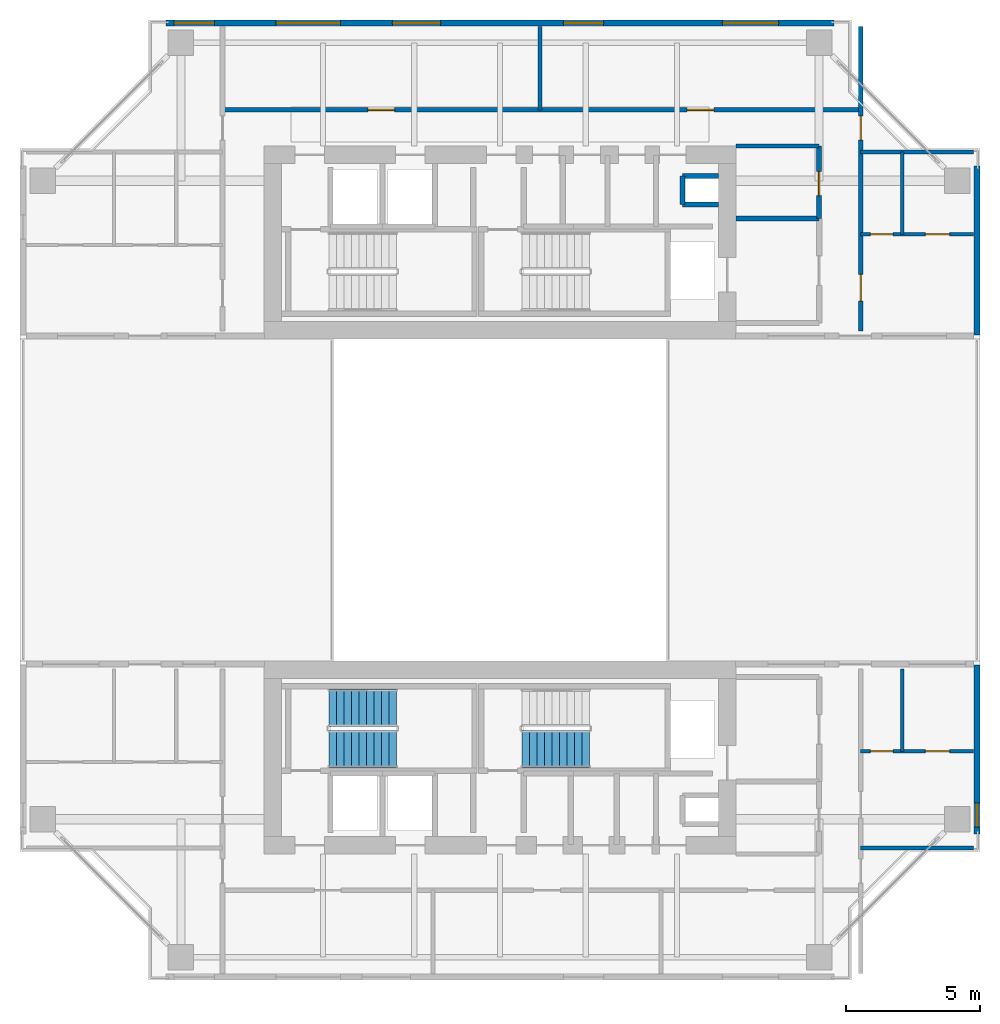
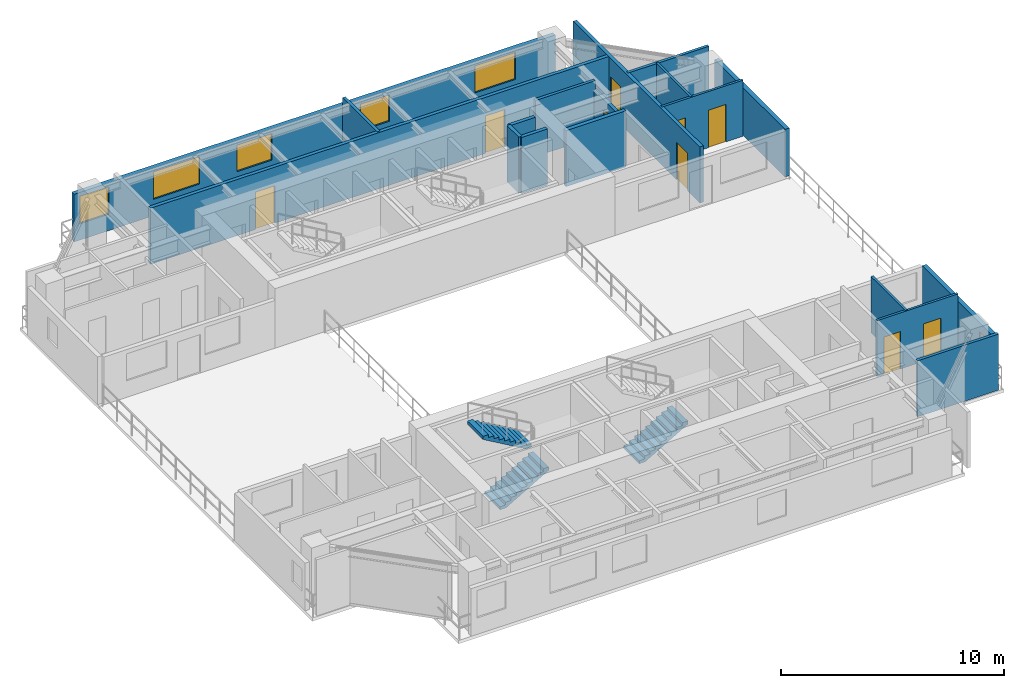
# One storey, part 10 of 14: 18 walls, 9 doors, 6 windows, 3 stair flights, 15 openings, 2 elements without a shape of their own.
"""IFC4 building model written with IfcOpenShell, lengths in metres."""

from ifc_helpers import new_model, si_unit, direction, frame, frame_2d, origin, place, context, subcontext, project, spatial, polyline, rectangle, outline, extrude, source, transform, mapped, material, layer, layer_set, type_object, element, fill, aggregate, save


model = new_model("IFC4")

# Units and contexts
model_context = context("Model", 3, precision=1e-05, world=origin(), true_north=direction((0.0, 1.0)))
body_context = subcontext(model_context, "Body", "Model", "MODEL_VIEW")
ifc_project = project(units=[si_unit("LENGTHUNIT", "METRE"), si_unit("AREAUNIT", "SQUARE_METRE"), si_unit("VOLUMEUNIT", "CUBIC_METRE"), si_unit("PLANEANGLEUNIT", "RADIAN"), si_unit("MASSUNIT", "GRAM", prefix="KILO"), si_unit("THERMODYNAMICTEMPERATUREUNIT", "KELVIN"), si_unit("POWERUNIT", "WATT")], contexts=[model_context])

# Site, building, storey
site_placement = place(None, origin())
site = spatial("IfcSite", under=ifc_project, at=site_placement, CompositionType="ELEMENT")
building_placement = place(site_placement, origin())
building = spatial("IfcBuilding", under=site, at=building_placement, Name="Qiaomeng Ring Towers", CompositionType="ELEMENT")
storey_placement = place(building_placement, frame((0.0, 0.0, 153.5)))
storey = spatial("IfcBuildingStorey", under=building, at=storey_placement, Name="L44", CompositionType="ELEMENT", Elevation=153.5)

# Wall
ifc_material_1 = material(Name="Precast concrete C40", Category="concrete")
ifc_layer_1 = layer(ifc_material_1, 0.219970703125, Name="Precast concrete C40")
ifc_layer_set_1 = layer_set([ifc_layer_1], Name="Precast concrete C40")
wall_type_1 = type_object("IfcWallType", Name="ARC-WL-EW2", PredefinedType="STANDARD", material=ifc_layer_set_1)
wall_1_placement = place(storey_placement, frame((36.7900390625, 29.14990234375, 0.0), z_axis=(0.0, 0.0, 1.0), x_axis=(0.0, 1.0, 0.0)))
element("IfcWall", 1, at=wall_1_placement, inside=storey, type_object=wall_type_1, Name="L44 Portal Wing Side Wall NWING-EL", PredefinedType="STANDARD", context=body_context, shape_type="SweptSolid", body=[
    extrude(rectangle(XDim=6.300048828125, YDim=0.219970703125, at=frame_2d((3.14990234375, 0.0))), origin(), (0.0, 0.0, 1.0), 2.610107421875),
])

# Wall, opening, window
wall_2_placement = place(storey_placement, frame((36.7900390625, 10.550048828125, 0.0), z_axis=(0.0, 0.0, 1.0), x_axis=(0.0, 1.0, 0.0)))
wall_2 = element("IfcWall", 2, at=wall_2_placement, inside=storey, type_object=wall_type_1, Name="L44 Portal Wing Side Wall SWING-EL", PredefinedType="STANDARD", context=body_context, shape_type="SweptSolid", body=[
    extrude(rectangle(XDim=6.300048828125, YDim=0.219970703125, at=frame_2d((3.14990234375, 0.0))), origin(), (0.0, 0.0, 1.0), 2.610107421875),
])
opening_1_placement = place(wall_2_placement, frame((0.25, 0.0, 0.89990234375)))
opening_1 = element("IfcOpeningElement", 3, at=opening_1_placement, cuts=wall_2, Name="Opening WN5", PredefinedType="OPENING", context=body_context, shape_type="SweptSolid", body=[
    extrude(rectangle(XDim=0.89990234375, YDim=1.199951171875, at=frame_2d((0.449951171875, 0.60009765625))), frame((0.0, 0.119873046875, 0.0), z_axis=(0.0, -1.0, 0.0), x_axis=(1.0, 0.0, 0.0)), (0.0, 0.0, 1.0), 0.239990234375),
])
ifc_material_2 = material(Name="Low-E dark-grey laminated double glazing", Category="glass")
window_type_1 = type_object("IfcWindowType", Name="ARC-WN-5", PartitioningType="SINGLE_PANEL", PredefinedType="WINDOW", material=ifc_material_2)
shared_shape_1 = source(origin(), body_context, "Body", "SweptSolid", [
    extrude(rectangle(XDim=0.89990234375, YDim=1.199951171875, at=frame_2d((0.449951171875, 0.60009765625))), frame((0.0, 0.030029296875, 0.0), z_axis=(0.0, -1.0, 0.0), x_axis=(1.0, 0.0, 0.0)), (0.0, 0.0, 1.0), 0.06005859375),
])
window_1_placement = place(opening_1_placement, origin())
window_1 = element("IfcWindow", 4, at=window_1_placement, inside=storey, type_object=window_type_1, Name="L44 Exterior Window WN5", OverallHeight=1.199951171875, OverallWidth=0.89990234375, PartitioningType="SINGLE_PANEL", PredefinedType="WINDOW", context=body_context, shape_type="MappedRepresentation", body=[
    mapped(shared_shape_1, transform((0.0, 0.0, 0.0), x_axis=(1.0, 0.0, 0.0), y_axis=(0.0, 1.0, 0.0), z_axis=(0.0, 0.0, 1.0), scale=1.0)),
])
fill(opening_1, window_1)

# Wall, openings, windows
wall_3_placement = place(storey_placement, frame((6.550048828125, 40.7900390625, 0.0), z_axis=(0.0, 0.0, 1.0), x_axis=(1.0, 0.0, 0.0)))
wall_3 = element("IfcWall", 5, at=wall_3_placement, inside=storey, type_object=wall_type_1, Name="L44 Tower 1 N Exterior Wall", PredefinedType="STANDARD", context=body_context, shape_type="SweptSolid", body=[
    extrude(rectangle(XDim=24.89990234375, YDim=0.219970703125, at=frame_2d((12.449951171875, 0.0))), origin(), (0.0, 0.0, 1.0), 2.610107421875),
])
opening_2_placement = place(wall_3_placement, frame((0.300048828125, 0.0, 0.89990234375)))
opening_2 = element("IfcOpeningElement", 6, at=opening_2_placement, cuts=wall_3, Name="Opening WN2", PredefinedType="OPENING", context=body_context, shape_type="SweptSolid", body=[
    extrude(rectangle(XDim=1.5, YDim=1.5, at=frame_2d((0.75, 0.75))), frame((0.0, 0.119873046875, 0.0), z_axis=(0.0, -1.0, 0.0), x_axis=(1.0, 0.0, 0.0)), (0.0, 0.0, 1.0), 0.239990234375),
])
opening_3_placement = place(wall_3_placement, frame((8.43798828125, 0.0, 0.89990234375)))
opening_3 = element("IfcOpeningElement", 7, at=opening_3_placement, cuts=wall_3, Name="Opening WN1", PredefinedType="OPENING", context=body_context, shape_type="SweptSolid", body=[
    extrude(rectangle(XDim=1.800048828125, YDim=1.449951171875, at=frame_2d((0.89990234375, 0.72509765625))), frame((0.0, 0.119873046875, 0.0), z_axis=(0.0, -1.0, 0.0), x_axis=(1.0, 0.0, 0.0)), (0.0, 0.0, 1.0), 0.239990234375),
])
opening_4_placement = place(wall_3_placement, frame((14.81298828125, 0.0, 0.89990234375)))
opening_4 = element("IfcOpeningElement", 8, at=opening_4_placement, cuts=wall_3, Name="Opening WN2", PredefinedType="OPENING", context=body_context, shape_type="SweptSolid", body=[
    extrude(rectangle(XDim=1.5, YDim=1.449951171875, at=frame_2d((0.75, 0.72509765625))), frame((0.0, 0.119873046875, 0.0), z_axis=(0.0, -1.0, 0.0), x_axis=(1.0, 0.0, 0.0)), (0.0, 0.0, 1.0), 0.239990234375),
])
opening_5_placement = place(wall_3_placement, frame((20.738037109375, 0.0, 0.89990234375)))
opening_5 = element("IfcOpeningElement", 9, at=opening_5_placement, cuts=wall_3, Name="Opening WN4", PredefinedType="OPENING", context=body_context, shape_type="SweptSolid", body=[
    extrude(rectangle(XDim=2.10009765625, YDim=1.47998046875, at=frame_2d((1.050048828125, 0.739990234375))), frame((0.0, 0.119873046875, 0.0), z_axis=(0.0, -1.0, 0.0), x_axis=(1.0, 0.0, 0.0)), (0.0, 0.0, 1.0), 0.239990234375),
])
opening_6_placement = place(wall_3_placement, frame((4.093994140625, 0.0, 0.89990234375)))
opening_6 = element("IfcOpeningElement", 10, at=opening_6_placement, cuts=wall_3, Name="Opening WN6", PredefinedType="OPENING", context=body_context, shape_type="SweptSolid", body=[
    extrude(rectangle(XDim=2.39990234375, YDim=1.5, at=frame_2d((1.199951171875, 0.75))), frame((0.0, 0.119873046875, 0.0), z_axis=(0.0, -1.0, 0.0), x_axis=(1.0, 0.0, 0.0)), (0.0, 0.0, 1.0), 0.239990234375),
])
window_type_2 = type_object("IfcWindowType", Name="ARC-WN-2", PartitioningType="DOUBLE_PANEL_VERTICAL", PredefinedType="WINDOW", material=ifc_material_2)
shared_shape_2 = source(origin(), body_context, "Body", "SweptSolid", [
    extrude(rectangle(XDim=1.5, YDim=1.449951171875, at=frame_2d((0.75, 0.72509765625))), frame((0.0, 0.030029296875, 0.0), z_axis=(0.0, -1.0, 0.0), x_axis=(1.0, 0.0, 0.0)), (0.0, 0.0, 1.0), 0.06005859375),
])
window_2_placement = place(opening_4_placement, origin())
window_2 = element("IfcWindow", 11, at=window_2_placement, inside=storey, type_object=window_type_2, Name="L44 Exterior Window WN2", OverallHeight=1.449951171875, OverallWidth=1.5, PartitioningType="DOUBLE_PANEL_VERTICAL", PredefinedType="WINDOW", context=body_context, shape_type="MappedRepresentation", body=[
    mapped(shared_shape_2, transform((0.0, 0.0, 0.0), x_axis=(1.0, 0.0, 0.0), y_axis=(0.0, 1.0, 0.0), z_axis=(0.0, 0.0, 1.0), scale=1.0)),
])
fill(opening_4, window_2)
window_type_3 = type_object("IfcWindowType", Name="ARC-WN-4", PartitioningType="TRIPLE_PANEL_VERTICAL", PredefinedType="WINDOW", material=ifc_material_2)
shared_shape_3 = source(origin(), body_context, "Body", "SweptSolid", [
    extrude(rectangle(XDim=2.10009765625, YDim=1.47998046875, at=frame_2d((1.050048828125, 0.739990234375))), frame((0.0, 0.030029296875, 0.0), z_axis=(0.0, -1.0, 0.0), x_axis=(1.0, 0.0, 0.0)), (0.0, 0.0, 1.0), 0.06005859375),
])
window_3_placement = place(opening_5_placement, origin())
window_3 = element("IfcWindow", 12, at=window_3_placement, inside=storey, type_object=window_type_3, Name="L44 Exterior Window WN4", OverallHeight=1.47998046875, OverallWidth=2.10009765625, PartitioningType="TRIPLE_PANEL_VERTICAL", PredefinedType="WINDOW", context=body_context, shape_type="MappedRepresentation", body=[
    mapped(shared_shape_3, transform((0.0, 0.0, 0.0), x_axis=(1.0, 0.0, 0.0), y_axis=(0.0, 1.0, 0.0), z_axis=(0.0, 0.0, 1.0), scale=1.0)),
])
fill(opening_5, window_3)
window_type_4 = type_object("IfcWindowType", Name="ARC-WN-1", PartitioningType="DOUBLE_PANEL_VERTICAL", PredefinedType="WINDOW", material=ifc_material_2)
shared_shape_4 = source(origin(), body_context, "Body", "SweptSolid", [
    extrude(rectangle(XDim=1.800048828125, YDim=1.449951171875, at=frame_2d((0.89990234375, 0.72509765625))), frame((0.0, 0.030029296875, 0.0), z_axis=(0.0, -1.0, 0.0), x_axis=(1.0, 0.0, 0.0)), (0.0, 0.0, 1.0), 0.06005859375),
])
window_4_placement = place(opening_3_placement, origin())
window_4 = element("IfcWindow", 13, at=window_4_placement, inside=storey, type_object=window_type_4, Name="L44 Exterior Window WN1", OverallHeight=1.449951171875, OverallWidth=1.800048828125, PartitioningType="DOUBLE_PANEL_VERTICAL", PredefinedType="WINDOW", context=body_context, shape_type="MappedRepresentation", body=[
    mapped(shared_shape_4, transform((0.0, 0.0, 0.0), x_axis=(1.0, 0.0, 0.0), y_axis=(0.0, 1.0, 0.0), z_axis=(0.0, 0.0, 1.0), scale=1.0)),
])
fill(opening_3, window_4)
shared_shape_5 = source(origin(), body_context, "Body", "SweptSolid", [
    extrude(rectangle(XDim=1.5, YDim=1.5, at=frame_2d((0.75, 0.75))), frame((0.0, 0.030029296875, 0.0), z_axis=(0.0, -1.0, 0.0), x_axis=(1.0, 0.0, 0.0)), (0.0, 0.0, 1.0), 0.06005859375),
])
window_5_placement = place(opening_2_placement, origin())
window_5 = element("IfcWindow", 14, at=window_5_placement, inside=storey, type_object=window_type_2, Name="L44 Exterior Window WN6", OverallHeight=1.5, OverallWidth=1.5, PartitioningType="TRIPLE_PANEL_VERTICAL", PredefinedType="WINDOW", context=body_context, shape_type="MappedRepresentation", body=[
    mapped(shared_shape_5, transform((0.0, 0.0, 0.0), x_axis=(1.0, 0.0, 0.0), y_axis=(0.0, 1.0, 0.0), z_axis=(0.0, 0.0, 1.0), scale=1.0)),
])
fill(opening_2, window_5)
window_type_5 = type_object("IfcWindowType", Name="ARC-WN-6", PartitioningType="TRIPLE_PANEL_VERTICAL", PredefinedType="WINDOW", material=ifc_material_2)
shared_shape_6 = source(origin(), body_context, "Body", "SweptSolid", [
    extrude(rectangle(XDim=2.39990234375, YDim=1.5, at=frame_2d((1.199951171875, 0.75))), frame((0.0, 0.030029296875, 0.0), z_axis=(0.0, -1.0, 0.0), x_axis=(1.0, 0.0, 0.0)), (0.0, 0.0, 1.0), 0.06005859375),
])
window_6_placement = place(opening_6_placement, origin())
window_6 = element("IfcWindow", 15, at=window_6_placement, inside=storey, type_object=window_type_5, Name="L44 Exterior Window WN6", OverallHeight=1.5, OverallWidth=2.39990234375, PartitioningType="TRIPLE_PANEL_VERTICAL", PredefinedType="WINDOW", context=body_context, shape_type="MappedRepresentation", body=[
    mapped(shared_shape_6, transform((0.0, 0.0, 0.0), x_axis=(1.0, 0.0, 0.0), y_axis=(0.0, 1.0, 0.0), z_axis=(0.0, 0.0, 1.0), scale=1.0)),
])
fill(opening_6, window_6)

# Wall
ifc_material_3 = material(Name="Autoclaved aerated concrete block", Category="concrete")
ifc_layer_2 = layer(ifc_material_3, 0.199951171875, Name="Autoclaved aerated concrete block")
ifc_layer_set_2 = layer_set([ifc_layer_2], Name="Autoclaved aerated concrete block")
wall_type_2 = type_object("IfcWallType", Name="ARC-WL-PW1", PredefinedType="PARTITIONING", material=ifc_layer_set_2)
wall_4_placement = place(storey_placement, frame((27.800048828125, 33.5, 0.0), z_axis=(0.0, 0.0, 1.0), x_axis=(1.0, 0.0, 0.0)))
element("IfcWall", 16, at=wall_4_placement, inside=storey, type_object=wall_type_2, Name="L44 Interior Wall PW1", PredefinedType="PARTITIONING", context=body_context, shape_type="SweptSolid", body=[
    extrude(rectangle(XDim=3.099853515625, YDim=0.199951171875, at=frame_2d((1.5498046875, 0.0))), origin(), (0.0, 0.0, 1.0), 3.070068359375),
])

# Wall, opening, door
ifc_layer_3 = layer(ifc_material_3, 0.179931640625, Name="Autoclaved aerated concrete block")
ifc_layer_set_3 = layer_set([ifc_layer_3], Name="Autoclaved aerated concrete block")
wall_type_3 = type_object("IfcWallType", Name="ARC-WL-PW2", PredefinedType="PARTITIONING", material=ifc_layer_set_3)
wall_5_placement = place(storey_placement, frame((30.89990234375, 33.5, 0.0), z_axis=(0.0, 0.0, 1.0), x_axis=(0.0, 1.0, 0.0)))
wall_5 = element("IfcWall", 17, at=wall_5_placement, inside=storey, type_object=wall_type_3, Name="L44 Interior Wall PW2", PredefinedType="PARTITIONING", context=body_context, shape_type="SweptSolid", body=[
    extrude(rectangle(XDim=2.699951171875, YDim=0.179931640625, at=frame_2d((1.35009765625, 0.0))), origin(), (0.0, 0.0, 1.0), 2.576904296875),
])
opening_7_placement = place(wall_5_placement, frame((0.85009765625, 0.0, 0.0)))
opening_7 = element("IfcOpeningElement", 18, at=opening_7_placement, cuts=wall_5, Name="Opening ID1", PredefinedType="OPENING", context=body_context, shape_type="SweptSolid", body=[
    extrude(rectangle(XDim=0.89990234375, YDim=2.050048828125, at=frame_2d((0.449951171875, 1.02490234375))), frame((0.0, 0.099853515625, 0.0), z_axis=(0.0, -1.0, 0.0), x_axis=(1.0, 0.0, 0.0)), (0.0, 0.0, 1.0), 0.199951171875),
])
ifc_material_4 = material(Name="Engineered oak timber", Category="wood")
door_type_1 = type_object("IfcDoorType", Name="ARC-DR-ID1", OperationType="NOTDEFINED", PredefinedType="DOOR", material=ifc_material_4)
shared_shape_7 = source(origin(), body_context, "Body", "SweptSolid", [
    extrude(rectangle(XDim=0.89990234375, YDim=2.050048828125, at=frame_2d((0.449951171875, 1.02490234375))), frame((0.0, 0.02490234375, 0.0), z_axis=(0.0, -1.0, 0.0), x_axis=(1.0, 0.0, 0.0)), (0.0, 0.0, 1.0), 0.050048828125),
])
door_1_placement = place(opening_7_placement, origin())
door_1 = element("IfcDoor", 19, at=door_1_placement, inside=storey, type_object=door_type_1, Name="L44 Door ID1", OperationType="SINGLE_SWING_LEFT", OverallHeight=2.050048828125, OverallWidth=0.89990234375, PredefinedType="DOOR", context=body_context, shape_type="MappedRepresentation", body=[
    mapped(shared_shape_7, transform((0.0, 0.0, 0.0), x_axis=(1.0, 0.0, 0.0), y_axis=(0.0, 1.0, 0.0), z_axis=(0.0, 0.0, 1.0), scale=1.0)),
])
fill(opening_7, door_1)

# Wall, openings, doors
wall_6_placement = place(storey_placement, frame((32.449951171875, 29.300048828125, 0.0), z_axis=(0.0, 0.0, 1.0), x_axis=(0.0, 1.0, 0.0)))
wall_6 = element("IfcWall", 20, at=wall_6_placement, inside=storey, type_object=wall_type_3, Name="L44 Interior Wall PW2", PredefinedType="PARTITIONING", context=body_context, shape_type="SweptSolid", body=[
    extrude(rectangle(XDim=11.349853515625, YDim=0.179931640625, at=frame_2d((5.6748046875, 0.0))), origin(), (0.0, 0.0, 1.0), 3.070068359375),
])
opening_8_placement = place(wall_6_placement, frame((1.114990234375, 0.0, 0.0)))
opening_8 = element("IfcOpeningElement", 21, at=opening_8_placement, cuts=wall_6, Name="Opening FD4", PredefinedType="OPENING", context=body_context, shape_type="SweptSolid", body=[
    extrude(rectangle(XDim=1.0, YDim=2.050048828125, at=frame_2d((0.5, 1.02490234375))), frame((0.0, 0.099853515625, 0.0), z_axis=(0.0, -1.0, 0.0), x_axis=(1.0, 0.0, 0.0)), (0.0, 0.0, 1.0), 0.199951171875),
])
opening_9_placement = place(wall_6_placement, frame((7.1201171875, 0.0, 0.0)))
opening_9 = element("IfcOpeningElement", 22, at=opening_9_placement, cuts=wall_6, Name="Opening ID1", PredefinedType="OPENING", context=body_context, shape_type="SweptSolid", body=[
    extrude(rectangle(XDim=0.89990234375, YDim=2.050048828125, at=frame_2d((0.449951171875, 1.02490234375))), frame((0.0, 0.099853515625, 0.0), z_axis=(0.0, -1.0, 0.0), x_axis=(1.0, 0.0, 0.0)), (0.0, 0.0, 1.0), 0.199951171875),
])
ifc_material_5 = material(Name="Engineered fire-rated oak timber", Category="wood")
door_type_2 = type_object("IfcDoorType", Name="ARC-DR-FD4", OperationType="NOTDEFINED", PredefinedType="DOOR", material=ifc_material_5)
shared_shape_8 = source(origin(), body_context, "Body", "SweptSolid", [
    extrude(rectangle(XDim=1.0, YDim=2.050048828125, at=frame_2d((0.5, 1.02490234375))), frame((0.0, 0.02490234375, 0.0), z_axis=(0.0, -1.0, 0.0), x_axis=(1.0, 0.0, 0.0)), (0.0, 0.0, 1.0), 0.050048828125),
])
door_2_placement = place(opening_8_placement, origin())
door_2 = element("IfcDoor", 23, at=door_2_placement, inside=storey, type_object=door_type_2, Name="L44 Door FD4", OperationType="SINGLE_SWING_RIGHT", OverallHeight=2.050048828125, OverallWidth=1.0, PredefinedType="DOOR", context=body_context, shape_type="MappedRepresentation", body=[
    mapped(shared_shape_8, transform((0.0, 0.0, 0.0), x_axis=(1.0, 0.0, 0.0), y_axis=(0.0, 1.0, 0.0), z_axis=(0.0, 0.0, 1.0), scale=1.0)),
])
fill(opening_8, door_2)
door_3_placement = place(opening_9_placement, origin())
door_3 = element("IfcDoor", 24, at=door_3_placement, inside=storey, type_object=door_type_1, Name="L44 Door ID1", OperationType="SINGLE_SWING_LEFT", OverallHeight=2.050048828125, OverallWidth=0.89990234375, PredefinedType="DOOR", context=body_context, shape_type="MappedRepresentation", body=[
    mapped(shared_shape_7, transform((0.0, 0.0, 0.0), x_axis=(1.0, 0.0, 0.0), y_axis=(0.0, 1.0, 0.0), z_axis=(0.0, 0.0, 1.0), scale=1.0)),
])
fill(opening_9, door_3)

wall_7_placement = place(storey_placement, frame((8.64990234375, 37.550048828125, 0.0), z_axis=(0.0, 0.0, 1.0), x_axis=(1.0, 0.0, 0.0)))
wall_7 = element("IfcWall", 25, at=wall_7_placement, inside=storey, type_object=wall_type_3, Name="L44 Interior Wall PW2", PredefinedType="PARTITIONING", context=body_context, shape_type="SweptSolid", body=[
    extrude(rectangle(XDim=23.800048828125, YDim=0.179931640625, at=frame_2d((11.89990234375, 0.0))), origin(), (0.0, 0.0, 1.0), 3.070068359375),
])
opening_10_placement = place(wall_7_placement, frame((5.425048828125, 0.0, 0.0)))
opening_10 = element("IfcOpeningElement", 26, at=opening_10_placement, cuts=wall_7, Name="Opening FD4", PredefinedType="OPENING", context=body_context, shape_type="SweptSolid", body=[
    extrude(rectangle(XDim=1.0, YDim=2.050048828125, at=frame_2d((0.5, 1.02490234375))), frame((0.0, 0.099853515625, 0.0), z_axis=(0.0, -1.0, 0.0), x_axis=(1.0, 0.0, 0.0)), (0.0, 0.0, 1.0), 0.199951171875),
])
opening_11_placement = place(wall_7_placement, frame((17.324951171875, 0.0, 0.0)))
opening_11 = element("IfcOpeningElement", 27, at=opening_11_placement, cuts=wall_7, Name="Opening FD4", PredefinedType="OPENING", context=body_context, shape_type="SweptSolid", body=[
    extrude(rectangle(XDim=1.0, YDim=2.050048828125, at=frame_2d((0.5, 1.02490234375))), frame((0.0, 0.099853515625, 0.0), z_axis=(0.0, -1.0, 0.0), x_axis=(1.0, 0.0, 0.0)), (0.0, 0.0, 1.0), 0.199951171875),
])
door_4_placement = place(opening_10_placement, origin())
door_4 = element("IfcDoor", 28, at=door_4_placement, inside=storey, type_object=door_type_2, Name="L44 Door FD4", OperationType="SINGLE_SWING_RIGHT", OverallHeight=2.050048828125, OverallWidth=1.0, PredefinedType="DOOR", context=body_context, shape_type="MappedRepresentation", body=[
    mapped(shared_shape_8, transform((0.0, 0.0, 0.0), x_axis=(1.0, 0.0, 0.0), y_axis=(0.0, 1.0, 0.0), z_axis=(0.0, 0.0, 1.0), scale=1.0)),
])
fill(opening_10, door_4)
door_5_placement = place(opening_11_placement, origin())
door_5 = element("IfcDoor", 29, at=door_5_placement, inside=storey, type_object=door_type_2, Name="L44 Door FD4", OperationType="SINGLE_SWING_LEFT", OverallHeight=2.050048828125, OverallWidth=1.0, PredefinedType="DOOR", context=body_context, shape_type="MappedRepresentation", body=[
    mapped(shared_shape_8, transform((0.0, 0.0, 0.0), x_axis=(1.0, 0.0, 0.0), y_axis=(0.0, 1.0, 0.0), z_axis=(0.0, 0.0, 1.0), scale=1.0)),
])
fill(opening_11, door_5)

# Walls
ifc_material_6 = material(Name="Gypsum fireboard steel-stud partition", Category="steel")
ifc_layer_4 = layer(ifc_material_6, 0.14990234375, Name="Gypsum fireboard steel-stud partition")
ifc_layer_set_4 = layer_set([ifc_layer_4], Name="Gypsum fireboard steel-stud partition")
wall_type_4 = type_object("IfcWallType", Name="ARC-WL-PW3", PredefinedType="PARTITIONING", material=ifc_layer_set_4)
wall_8_placement = place(storey_placement, frame((27.800048828125, 36.199951171875, 0.0), z_axis=(0.0, 0.0, 1.0), x_axis=(1.0, 0.0, 0.0)))
element("IfcWall", 30, at=wall_8_placement, inside=storey, type_object=wall_type_4, Name="L44 Interior Wall PW3", PredefinedType="PARTITIONING", context=body_context, shape_type="SweptSolid", body=[
    extrude(rectangle(XDim=3.099853515625, YDim=0.14990234375, at=frame_2d((1.5498046875, 0.0))), origin(), (0.0, 0.0, 1.0), 3.070068359375),
])
wall_9_placement = place(storey_placement, frame((32.449951171875, 35.97998046875, 0.0), z_axis=(0.0, 0.0, 1.0), x_axis=(1.0, 0.0, 0.0)))
element("IfcWall", 31, at=wall_9_placement, inside=storey, type_object=wall_type_4, Name="L44 Interior Wall PW3", PredefinedType="PARTITIONING", context=body_context, shape_type="SweptSolid", body=[
    extrude(rectangle(XDim=4.199951171875, YDim=0.14990234375, at=frame_2d((2.10009765625, 0.0))), origin(), (0.0, 0.0, 1.0), 3.070068359375),
])
wall_10_placement = place(storey_placement, frame((20.5, 37.550048828125, 0.0), z_axis=(0.0, 0.0, 1.0), x_axis=(0.0, 1.0, 0.0)))
element("IfcWall", 32, at=wall_10_placement, inside=storey, type_object=wall_type_4, Name="L44 Interior Wall PW3", PredefinedType="PARTITIONING", context=body_context, shape_type="SweptSolid", body=[
    extrude(rectangle(XDim=3.099853515625, YDim=0.14990234375, at=frame_2d((1.5498046875, 0.0))), origin(), (0.0, 0.0, 1.0), 3.070068359375),
])
wall_11_placement = place(storey_placement, frame((32.449951171875, 10.02001953125, 0.0), z_axis=(0.0, 0.0, 1.0), x_axis=(1.0, 0.0, 0.0)))
element("IfcWall", 33, at=wall_11_placement, inside=storey, type_object=wall_type_4, Name="L44 Interior Wall PW3", PredefinedType="PARTITIONING", context=body_context, shape_type="SweptSolid", body=[
    extrude(rectangle(XDim=4.199951171875, YDim=0.14990234375, at=frame_2d((2.10009765625, 0.0))), origin(), (0.0, 0.0, 1.0), 3.070068359375),
])

# Wall, openings, doors
ifc_material_7 = material(Name="Moisture-resistant gypsum steel-stud partition", Category="steel")
ifc_layer_5 = layer(ifc_material_7, 0.1201171875, Name="Moisture-resistant gypsum steel-stud partition")
ifc_layer_set_5 = layer_set([ifc_layer_5], Name="Moisture-resistant gypsum steel-stud partition")
wall_type_5 = type_object("IfcWallType", Name="ARC-WL-PW4", PredefinedType="PLUMBINGWALL", material=ifc_layer_set_5)
wall_12_placement = place(storey_placement, frame((32.449951171875, 32.909912109375, 0.0), z_axis=(0.0, 0.0, 1.0), x_axis=(1.0, 0.0, 0.0)))
wall_12 = element("IfcWall", 34, at=wall_12_placement, inside=storey, type_object=wall_type_5, Name="L44 Interior Wall PW4", PredefinedType="PLUMBINGWALL", context=body_context, shape_type="SweptSolid", body=[
    extrude(rectangle(XDim=4.199951171875, YDim=0.1201171875, at=frame_2d((2.10009765625, 0.0))), origin(), (0.0, 0.0, 1.0), 3.070068359375),
])
opening_12_placement = place(wall_12_placement, frame((0.360107421875, 0.0, 0.0)))
opening_12 = element("IfcOpeningElement", 35, at=opening_12_placement, cuts=wall_12, Name="Opening ID2", PredefinedType="OPENING", context=body_context, shape_type="SweptSolid", body=[
    extrude(rectangle(XDim=0.85009765625, YDim=2.050048828125, at=frame_2d((0.425048828125, 1.02490234375))), frame((0.0, 0.070068359375, 0.0), z_axis=(0.0, -1.0, 0.0), x_axis=(1.0, 0.0, 0.0)), (0.0, 0.0, 1.0), 0.14013671875),
])
opening_13_placement = place(wall_12_placement, frame((2.4150390625, 0.0, 0.0)))
opening_13 = element("IfcOpeningElement", 36, at=opening_13_placement, cuts=wall_12, Name="Opening ID1", PredefinedType="OPENING", context=body_context, shape_type="SweptSolid", body=[
    extrude(rectangle(XDim=0.89990234375, YDim=2.050048828125, at=frame_2d((0.449951171875, 1.02490234375))), frame((0.0, 0.070068359375, 0.0), z_axis=(0.0, -1.0, 0.0), x_axis=(1.0, 0.0, 0.0)), (0.0, 0.0, 1.0), 0.14013671875),
])
ifc_material_8 = material(Name="Moisture-resistant engineered timber", Category="wood")
door_type_3 = type_object("IfcDoorType", Name="ARC-DR-ID2", OperationType="NOTDEFINED", PredefinedType="DOOR", material=ifc_material_8)
shared_shape_9 = source(origin(), body_context, "Body", "SweptSolid", [
    extrude(rectangle(XDim=0.85009765625, YDim=2.050048828125, at=frame_2d((0.425048828125, 1.02490234375))), frame((0.0, 0.02490234375, 0.0), z_axis=(0.0, -1.0, 0.0), x_axis=(1.0, 0.0, 0.0)), (0.0, 0.0, 1.0), 0.050048828125),
])
door_6_placement = place(opening_12_placement, origin())
door_6 = element("IfcDoor", 37, at=door_6_placement, inside=storey, type_object=door_type_3, Name="L44 Door ID2", OperationType="SINGLE_SWING_RIGHT", OverallHeight=2.050048828125, OverallWidth=0.85009765625, PredefinedType="DOOR", context=body_context, shape_type="MappedRepresentation", body=[
    mapped(shared_shape_9, transform((0.0, 0.0, 0.0), x_axis=(1.0, 0.0, 0.0), y_axis=(0.0, 1.0, 0.0), z_axis=(0.0, 0.0, 1.0), scale=1.0)),
])
fill(opening_12, door_6)
door_7_placement = place(opening_13_placement, origin())
door_7 = element("IfcDoor", 38, at=door_7_placement, inside=storey, type_object=door_type_1, Name="L44 Door ID1", OperationType="SINGLE_SWING_LEFT", OverallHeight=2.050048828125, OverallWidth=0.89990234375, PredefinedType="DOOR", context=body_context, shape_type="MappedRepresentation", body=[
    mapped(shared_shape_7, transform((0.0, 0.0, 0.0), x_axis=(1.0, 0.0, 0.0), y_axis=(0.0, 1.0, 0.0), z_axis=(0.0, 0.0, 1.0), scale=1.0)),
])
fill(opening_13, door_7)

# Wall
wall_13_placement = place(storey_placement, frame((34.0, 32.909912109375, 0.0), z_axis=(0.0, 0.0, 1.0), x_axis=(0.0, 1.0, 0.0)))
element("IfcWall", 39, at=wall_13_placement, inside=storey, type_object=wall_type_5, Name="L44 Interior Wall PW4", PredefinedType="PLUMBINGWALL", context=body_context, shape_type="SweptSolid", body=[
    extrude(rectangle(XDim=3.070068359375, YDim=0.1201171875, at=frame_2d((1.53515625, 0.0))), origin(), (0.0, 0.0, 1.0), 3.070068359375),
])

# Wall, openings, doors
wall_14_placement = place(storey_placement, frame((32.449951171875, 13.6298828125, 0.0), z_axis=(0.0, 0.0, 1.0), x_axis=(1.0, 0.0, 0.0)))
wall_14 = element("IfcWall", 40, at=wall_14_placement, inside=storey, type_object=wall_type_5, Name="L44 Interior Wall PW4", PredefinedType="PLUMBINGWALL", context=body_context, shape_type="SweptSolid", body=[
    extrude(rectangle(XDim=4.199951171875, YDim=0.1201171875, at=frame_2d((2.10009765625, 0.0))), origin(), (0.0, 0.0, 1.0), 3.070068359375),
])
opening_14_placement = place(wall_14_placement, frame((0.360107421875, 0.0, 0.0)))
opening_14 = element("IfcOpeningElement", 41, at=opening_14_placement, cuts=wall_14, Name="Opening ID2", PredefinedType="OPENING", context=body_context, shape_type="SweptSolid", body=[
    extrude(rectangle(XDim=0.85009765625, YDim=2.050048828125, at=frame_2d((0.425048828125, 1.02490234375))), frame((0.0, 0.070068359375, 0.0), z_axis=(0.0, -1.0, 0.0), x_axis=(1.0, 0.0, 0.0)), (0.0, 0.0, 1.0), 0.14013671875),
])
opening_15_placement = place(wall_14_placement, frame((2.4150390625, 0.0, 0.0)))
opening_15 = element("IfcOpeningElement", 42, at=opening_15_placement, cuts=wall_14, Name="Opening ID1", PredefinedType="OPENING", context=body_context, shape_type="SweptSolid", body=[
    extrude(rectangle(XDim=0.89990234375, YDim=2.050048828125, at=frame_2d((0.449951171875, 1.02490234375))), frame((0.0, 0.070068359375, 0.0), z_axis=(0.0, -1.0, 0.0), x_axis=(1.0, 0.0, 0.0)), (0.0, 0.0, 1.0), 0.14013671875),
])
door_8_placement = place(opening_14_placement, origin())
door_8 = element("IfcDoor", 43, at=door_8_placement, inside=storey, type_object=door_type_3, Name="L44 Door ID2", OperationType="SINGLE_SWING_LEFT", OverallHeight=2.050048828125, OverallWidth=0.85009765625, PredefinedType="DOOR", context=body_context, shape_type="MappedRepresentation", body=[
    mapped(shared_shape_9, transform((0.0, 0.0, 0.0), x_axis=(1.0, 0.0, 0.0), y_axis=(0.0, 1.0, 0.0), z_axis=(0.0, 0.0, 1.0), scale=1.0)),
])
fill(opening_14, door_8)
door_9_placement = place(opening_15_placement, origin())
door_9 = element("IfcDoor", 44, at=door_9_placement, inside=storey, type_object=door_type_1, Name="L44 Door ID1", OperationType="SINGLE_SWING_RIGHT", OverallHeight=2.050048828125, OverallWidth=0.89990234375, PredefinedType="DOOR", context=body_context, shape_type="MappedRepresentation", body=[
    mapped(shared_shape_7, transform((0.0, 0.0, 0.0), x_axis=(1.0, 0.0, 0.0), y_axis=(0.0, 1.0, 0.0), z_axis=(0.0, 0.0, 1.0), scale=1.0)),
])
fill(opening_15, door_9)

# Walls
wall_15_placement = place(storey_placement, frame((34.0, 13.6298828125, 0.0), z_axis=(0.0, 0.0, 1.0), x_axis=(0.0, 1.0, 0.0)))
element("IfcWall", 45, at=wall_15_placement, inside=storey, type_object=wall_type_5, Name="L44 Interior Wall PW4", PredefinedType="PLUMBINGWALL", context=body_context, shape_type="SweptSolid", body=[
    extrude(rectangle(XDim=3.070068359375, YDim=0.1201171875, at=frame_2d((1.53515625, 0.0))), origin(), (0.0, 0.0, 1.0), 3.070068359375),
])
ifc_material_9 = material(Name="Concrete C40", Category="concrete")
ifc_layer_6 = layer(ifc_material_9, 0.199951171875, Name="Concrete C40")
ifc_layer_set_6 = layer_set([ifc_layer_6], Name="Concrete C40")
wall_type_6 = type_object("IfcWallType", Name="STR-WL-STSHAFT", PredefinedType="SHEAR", material=ifc_layer_set_6)
wall_16_placement = place(storey_placement, frame((25.800048828125, 34.02001953125, 0.0), z_axis=(0.0, 0.0, 1.0), x_axis=(0.0, 1.0, 0.0)))
element("IfcWall", 46, at=wall_16_placement, inside=storey, type_object=wall_type_6, Name="L44 Riser RSR1 West Shaft Wall N", PredefinedType="SHEAR", context=body_context, shape_type="SweptSolid", body=[
    extrude(rectangle(XDim=1.06005859375, YDim=0.179931640625, at=frame_2d((0.530029296875, 0.0))), origin(), (0.0, 0.0, 1.0), 3.070068359375),
])
for number, where, z_axis, x_axis, name in (
    (47, (25.800048828125, 35.080078125, 0.0), (0.0, 0.0, 1.0), (1.0, 0.0, 0.0), "L44 Riser RSR1 North Shaft Wall N"),
    (48, (25.800048828125, 34.02001953125, 0.0), (0.0, 0.0, 1.0), (1.0, 0.0, 0.0), "L44 Riser RSR1 South Shaft Wall N"),
):
    element("IfcWall", number, at=place(storey_placement, frame(where, z_axis=z_axis, x_axis=x_axis)), inside=storey, type_object=wall_type_6, Name=name, PredefinedType="SHEAR", context=body_context, shape_type="SweptSolid", body=[
        extrude(rectangle(XDim=1.349853515625, YDim=0.179931640625, at=frame_2d((0.6748046875, 0.0))), origin(), (0.0, 0.0, 1.0), 3.070068359375),
    ])

# Stair, stair flights
stair_type = type_object("IfcStairType", Name="ARC-ST-325", PredefinedType="HALF_TURN_STAIR", material=ifc_material_1)
stair_1_placement = place(storey_placement, origin())
stair_1 = element("IfcStair", 49, at=stair_1_placement, inside=storey, type_object=stair_type, Name="L44 Tower 1 South Stair 3", PredefinedType="HALF_TURN_STAIR")
stair_flight_type = type_object("IfcStairFlightType", Name="ARC-ST-325-FL", PredefinedType="STRAIGHT", material=ifc_material_1)
shared_shape_10 = source(origin(), body_context, "Body", "SweptSolid", [
    extrude(outline(polyline([(0.0, 0.0), (0.0, 0.16259765625), (0.280029296875, 0.16259765625), (0.280029296875, 0.324951171875), (0.56005859375, 0.324951171875), (0.56005859375, 0.487548828125), (0.840087890625, 0.487548828125), (0.840087890625, 0.64990234375), (1.1201171875, 0.64990234375), (1.1201171875, 0.8125), (1.39990234375, 0.8125), (1.39990234375, 0.97509765625), (1.679931640625, 0.97509765625), (1.679931640625, 1.137451171875), (1.9599609375, 1.137451171875), (1.9599609375, 1.300048828125), (2.239990234375, 1.300048828125), (2.239990234375, 1.46240234375), (2.52001953125, 1.46240234375), (2.52001953125, 1.625), (2.52001953125, 1.2890625), (0.298583984375, 0.0), (0.0, 0.0)])), frame((0.0, 0.699951171875, 0.0), z_axis=(0.0, -1.0, 0.0), x_axis=(1.0, 0.0, 0.0)), (0.0, 0.0, 1.0), 1.39990234375),
])
stair_flight_1_placement = place(storey_placement, frame((12.6201171875, 13.7099609375, 0.0), z_axis=(0.0, 0.0, 1.0), x_axis=(1.0, 0.0, 0.0)))
stair_flight_1 = element("IfcStairFlight", 50, at=stair_flight_1_placement, type_object=stair_flight_type, Name="ST3 flight 1", NumberOfRisers=10, NumberOfTreads=9, PredefinedType="STRAIGHT", RiserHeight=0.1625, TreadLength=0.28, context=body_context, shape_type="MappedRepresentation", body=[
    mapped(shared_shape_10, transform((0.0, 0.0, 0.0), x_axis=(1.0, 0.0, 0.0), y_axis=(0.0, 1.0, 0.0), z_axis=(0.0, 0.0, 1.0), scale=1.0)),
])
stair_flight_2_placement = place(storey_placement, frame((15.139892578125, 15.25, 1.625), z_axis=(0.0, 0.0, 1.0), x_axis=(-1.0, 0.0, 0.0)))
stair_flight_2 = element("IfcStairFlight", 51, at=stair_flight_2_placement, type_object=stair_flight_type, Name="ST3 flight 2", NumberOfRisers=10, NumberOfTreads=9, PredefinedType="STRAIGHT", RiserHeight=0.1625, TreadLength=0.28, context=body_context, shape_type="MappedRepresentation", body=[
    mapped(shared_shape_10, transform((0.0, 0.0, 0.0), x_axis=(1.0, 0.0, 0.0), y_axis=(0.0, 1.0, 0.0), z_axis=(0.0, 0.0, 1.0), scale=1.0)),
])
aggregate(stair_1, [stair_flight_1, stair_flight_2])

# Stair, stair flight
stair_2_placement = place(storey_placement, origin())
stair_2 = element("IfcStair", 52, at=stair_2_placement, inside=storey, type_object=stair_type, Name="L44 Tower 1 South Stair 4", PredefinedType="HALF_TURN_STAIR")
stair_flight_3_placement = place(storey_placement, frame((19.820068359375, 13.7099609375, 0.0), z_axis=(0.0, 0.0, 1.0), x_axis=(1.0, 0.0, 0.0)))
stair_flight_3 = element("IfcStairFlight", 53, at=stair_flight_3_placement, type_object=stair_flight_type, Name="ST4 flight 1", NumberOfRisers=10, NumberOfTreads=9, PredefinedType="STRAIGHT", RiserHeight=0.1625, TreadLength=0.28, context=body_context, shape_type="MappedRepresentation", body=[
    mapped(shared_shape_10, transform((0.0, 0.0, 0.0), x_axis=(1.0, 0.0, 0.0), y_axis=(0.0, 1.0, 0.0), z_axis=(0.0, 0.0, 1.0), scale=1.0)),
])
aggregate(stair_2, [stair_flight_3])

save(model, "model.ifc")
